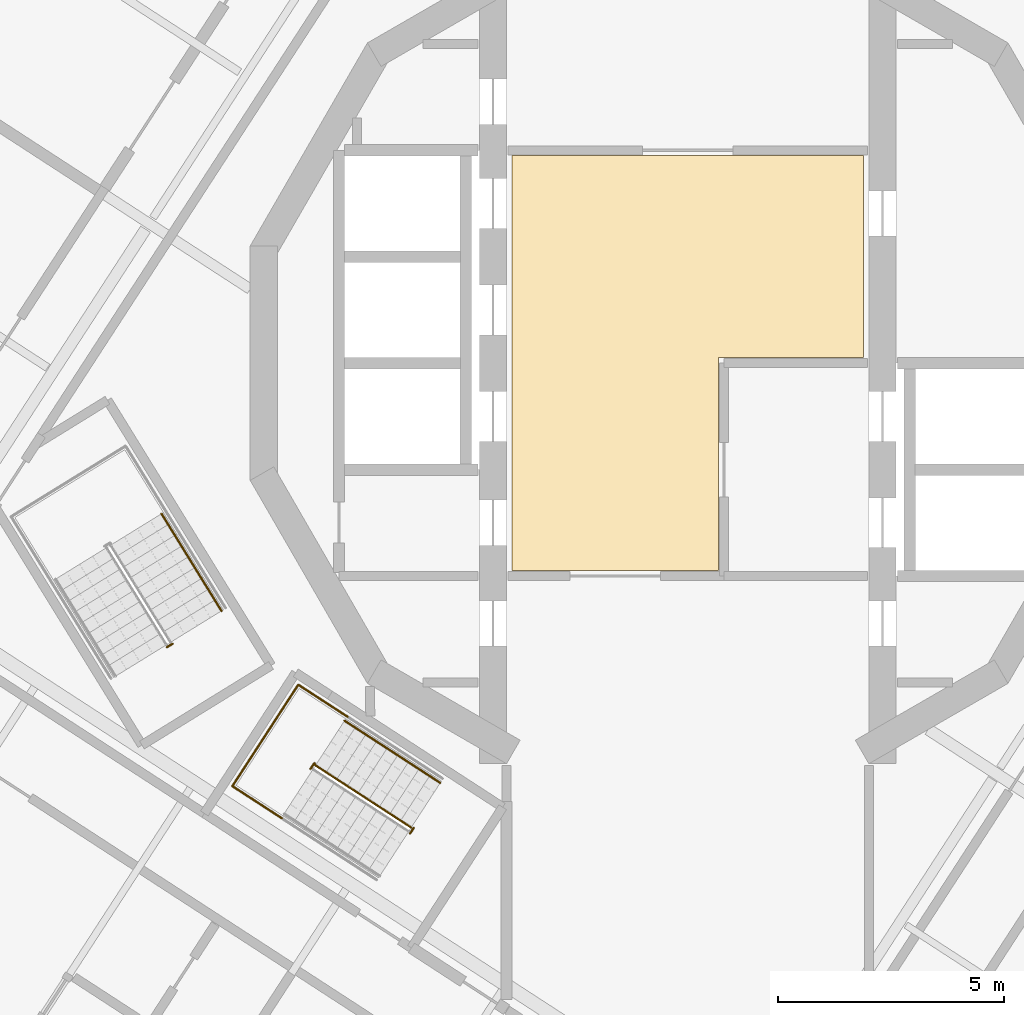
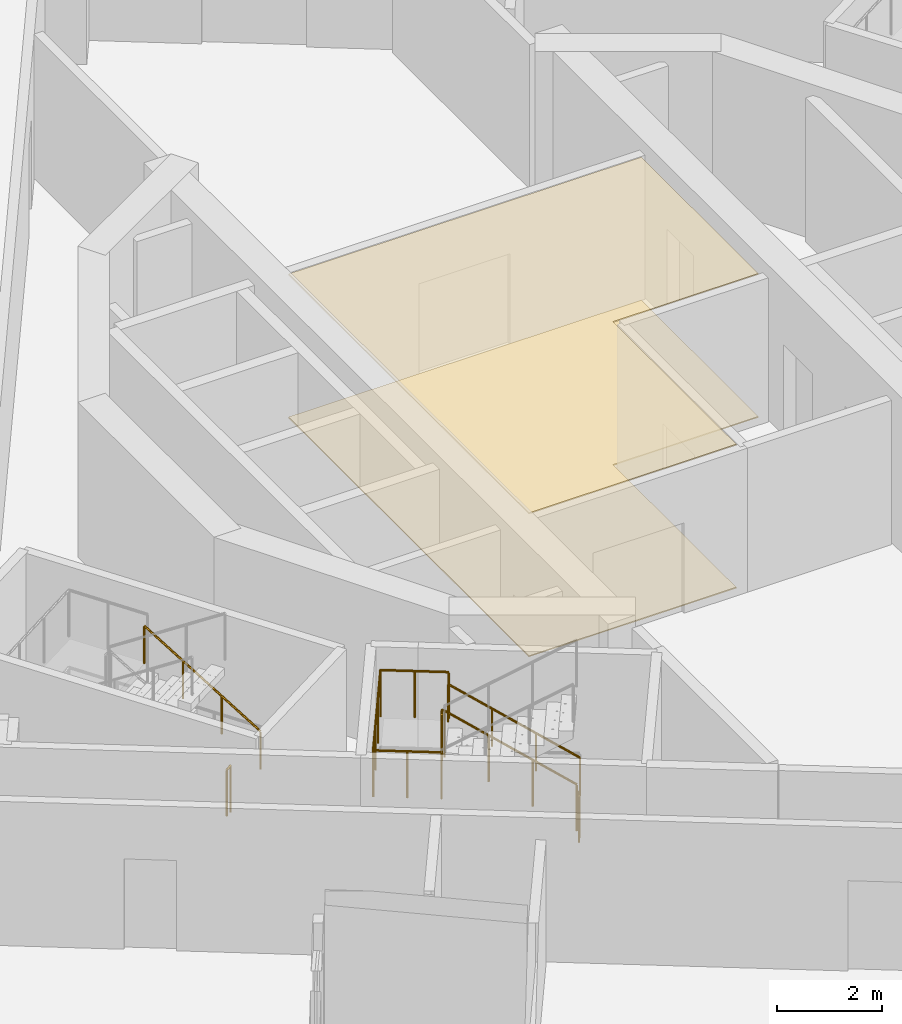
# One storey, part 12 of 15: 6 railings, 2 coverings.
"""IFC4 building model written with IfcOpenShell, lengths in metres."""

from ifc_helpers import new_model, si_unit, direction, frame, origin, origin_2d, place, context, subcontext, project, spatial, polyline, circle, outline, extrude, material, layer, layer_set, type_object, element, save


model = new_model("IFC4")

# Units and contexts
model_context = context("Model", 3, precision=1e-05, world=origin(), true_north=direction((0.0, 1.0)))
body_context = subcontext(model_context, "Body", "Model", "MODEL_VIEW")
ifc_project = project(units=[si_unit("LENGTHUNIT", "METRE"), si_unit("AREAUNIT", "SQUARE_METRE"), si_unit("VOLUMEUNIT", "CUBIC_METRE"), si_unit("PLANEANGLEUNIT", "RADIAN"), si_unit("MASSUNIT", "GRAM", prefix="KILO")], contexts=[model_context])

# Site, building, storey
site_placement = place(None, origin())
site = spatial("IfcSite", under=ifc_project, at=site_placement, CompositionType="ELEMENT")
building_placement = place(site_placement, origin())
building = spatial("IfcBuilding", under=site, at=building_placement, Name="Cantera Rosa Tower", CompositionType="ELEMENT")
storey_placement = place(building_placement, frame((0.0, 0.0, 282.89990234375)))
storey = spatial("IfcBuildingStorey", under=building, at=storey_placement, Name="L64", CompositionType="ELEMENT", Elevation=282.89990234375)

# Railings
ifc_material_1 = material(Name="Steel S355J2 (EN 10025-2)", Category="steel")
railing_type_1 = type_object("IfcRailingType", Name="STAIR GUARD 1100", PredefinedType="GUARDRAIL", material=ifc_material_1)
railing_1_placement = place(storey_placement, frame((-11.375, -6.19482421875, 0.0)))
element("IfcRailing", 1, at=railing_1_placement, inside=storey, type_object=railing_type_1, Name="L64 ST-52 stair guard 3", PredefinedType="GUARDRAIL", context=body_context, shape_type="SweptSolid", body=[
    extrude(circle(Radius=0.02392578125, at=origin_2d()), frame((0.0, 0.0, 1.076171875), z_axis=(-0.851546489876, -0.524279100842, 0.0), x_axis=(0.524279100842, -0.851546489876, 0.0)), (0.0, 0.0, 1.0), 0.14990234375),
    extrude(circle(Radius=0.02099609375, at=origin_2d()), origin(), (0.0, 0.0, 1.0), 1.052001953125),
    extrude(circle(Radius=0.02099609375, at=origin_2d()), frame((-0.127685546875, -0.07861328125, 0.0)), (0.0, 0.0, 1.0), 1.052001953125),
])
railing_2_placement = place(storey_placement, frame((-6.10400390625, -10.25341796875, 0.18017578125)))
element("IfcRailing", 2, at=railing_2_placement, inside=storey, type_object=railing_type_1, Name="L64 ST-53 stair guard 1", PredefinedType="GUARDRAIL", context=body_context, shape_type="SweptSolid", body=[
    extrude(circle(Radius=0.02392578125, at=origin_2d()), frame((0.0, 0.0, 1.076171875), z_axis=(-0.705493103535, 0.458158972863, 0.540712341684), x_axis=(-0.544644381691, -0.838667095749, 0.0)), (0.0, 0.0, 1.0), 2.995849609375),
    extrude(circle(Radius=0.02392578125, at=origin_2d()), frame((-2.113525390625, 1.37255859375, 2.69580078125), z_axis=(-0.49005532576, 0.871691331662, 0.0), x_axis=(-0.871691331662, -0.49005532576, 0.0)), (0.0, 0.0, 1.0), 0.056396484375),
    extrude(circle(Radius=0.02392578125, at=origin_2d()), frame((-2.14111328125, 1.421630859375, 2.69580078125), z_axis=(-0.545274379459, -0.838257628123, 0.0), x_axis=(0.838257628123, -0.545274379459, 0.0)), (0.0, 0.0, 1.0), 0.14990234375),
    extrude(circle(Radius=0.02099609375, at=origin_2d()), origin(), (0.0, 0.0, 1.0), 1.052001953125),
    extrude(circle(Radius=0.02099609375, at=origin_2d()), frame((-0.70458984375, 0.45751953125, 0.5400390625)), (0.0, 0.0, 1.0), 1.052001953125),
    extrude(circle(Radius=0.02099609375, at=origin_2d()), frame((-1.408935546875, 0.9150390625, 1.079833984375)), (0.0, 0.0, 1.0), 1.052001953125),
    extrude(circle(Radius=0.02099609375, at=origin_2d()), frame((-2.113525390625, 1.37255859375, 1.619873046875)), (0.0, 0.0, 1.0), 1.052001953125),
    extrude(circle(Radius=0.02099609375, at=origin_2d()), frame((-2.14111328125, 1.421630859375, 1.619873046875)), (0.0, 0.0, 1.0), 1.052001953125),
    extrude(circle(Radius=0.02099609375, at=origin_2d()), frame((-2.222900390625, 1.2958984375, 1.619873046875)), (0.0, 0.0, 1.0), 1.052001953125),
])
railing_3_placement = place(storey_placement, frame((-6.0478515625, -10.2587890625, 0.0)))
element("IfcRailing", 3, at=railing_3_placement, inside=storey, type_object=railing_type_1, Name="L64 ST-53 stair guard 3", PredefinedType="GUARDRAIL", context=body_context, shape_type="SweptSolid", body=[
    extrude(circle(Radius=0.02392578125, at=origin_2d()), frame((0.0, 0.0, 1.076171875), z_axis=(-0.545274379459, -0.838257628123, 0.0), x_axis=(0.838257628123, -0.545274379459, 0.0)), (0.0, 0.0, 1.0), 0.14990234375),
    extrude(circle(Radius=0.02099609375, at=origin_2d()), origin(), (0.0, 0.0, 1.0), 1.052001953125),
    extrude(circle(Radius=0.02099609375, at=origin_2d()), frame((-0.081787109375, -0.125732421875, 0.0)), (0.0, 0.0, 1.0), 1.052001953125),
])
railing_4_placement = place(storey_placement, frame((-7.507080078125, -7.808837890625, 1.800048828125)))
element("IfcRailing", 4, at=railing_4_placement, inside=storey, type_object=railing_type_1, Name="L64 ST-53 stair guard 5", PredefinedType="GUARDRAIL", context=body_context, shape_type="SweptSolid", body=[
    extrude(circle(Radius=0.02392578125, at=origin_2d()), frame((0.0, 0.0, 1.076171875), z_axis=(-0.838597818641, 0.544751042744, 0.0), x_axis=(-0.544751042744, -0.838597818641, 0.0)), (0.0, 0.0, 1.0), 1.302001953125),
    extrude(circle(Radius=0.02392578125, at=origin_2d()), frame((-1.091796875, 0.709228515625, 1.076171875), z_axis=(-0.544679779991, -0.838644106442, 0.0), x_axis=(0.838644106442, -0.544679779991, 0.0)), (0.0, 0.0, 1.0), 2.670166015625),
    extrude(circle(Radius=0.02392578125, at=origin_2d()), frame((-2.546142578125, -1.530029296875, 1.076171875), z_axis=(0.838653453326, -0.544665388311, 0.0), x_axis=(0.544665388311, 0.838653453326, 0.0)), (0.0, 0.0, 1.0), 1.30224609375),
    extrude(circle(Radius=0.02099609375, at=origin_2d()), origin(), (0.0, 0.0, 1.0), 1.052001953125),
    extrude(circle(Radius=0.02099609375, at=origin_2d()), frame((-0.5458984375, 0.3544921875, 0.0)), (0.0, 0.0, 1.0), 1.052001953125),
    extrude(circle(Radius=0.02099609375, at=origin_2d()), frame((-1.091796875, 0.709228515625, 0.0)), (0.0, 0.0, 1.0), 1.052001953125),
    extrude(circle(Radius=0.02099609375, at=origin_2d()), frame((-1.57666015625, -0.037109375, 0.0)), (0.0, 0.0, 1.0), 1.052001953125),
    extrude(circle(Radius=0.02099609375, at=origin_2d()), frame((-2.061279296875, -0.78369140625, 0.0)), (0.0, 0.0, 1.0), 1.052001953125),
    extrude(circle(Radius=0.02099609375, at=origin_2d()), frame((-2.546142578125, -1.530029296875, 0.0)), (0.0, 0.0, 1.0), 1.052001953125),
    extrude(circle(Radius=0.02099609375, at=origin_2d()), frame((-2.0, -1.884765625, 0.0)), (0.0, 0.0, 1.0), 1.052001953125),
    extrude(circle(Radius=0.02099609375, at=origin_2d()), frame((-1.4541015625, -2.2392578125, 0.0)), (0.0, 0.0, 1.0), 1.052001953125),
])
ifc_material_2 = material(Name="Steel S355J2 (EN 10025-2)", Category="steel")
railing_type_2 = type_object("IfcRailingType", Name="STAIR HANDRAIL 900", PredefinedType="HANDRAIL", material=ifc_material_2)
railing_5_placement = place(storey_placement, frame((-10.294677734375, -5.4697265625, 0.18017578125)))
element("IfcRailing", 5, at=railing_5_placement, inside=storey, type_object=railing_type_2, Name="L64 ST-52 stair handrail 1", PredefinedType="HANDRAIL", context=body_context, shape_type="SweptSolid", body=[
    extrude(circle(Radius=0.02392578125, at=origin_2d()), frame((0.0, 0.0, 0.8759765625), z_axis=(-0.441628529057, 0.715945124149, 0.540728047664), x_axis=(-0.851102330005, -0.524999832248, 0.0)), (0.0, 0.0, 1.0), 2.99560546875),
    extrude(circle(Radius=0.02099609375, at=origin_2d()), origin(), (0.0, 0.0, 1.0), 0.851806640625),
    extrude(circle(Radius=0.02099609375, at=origin_2d()), frame((-0.44091796875, 0.71484375, 0.5400390625)), (0.0, 0.0, 1.0), 0.851806640625),
    extrude(circle(Radius=0.02099609375, at=origin_2d()), frame((-0.882080078125, 1.429931640625, 1.079833984375)), (0.0, 0.0, 1.0), 0.851806640625),
    extrude(circle(Radius=0.02099609375, at=origin_2d()), frame((-1.322998046875, 2.144775390625, 1.619873046875)), (0.0, 0.0, 1.0), 0.851806640625),
])
railing_6_placement = place(storey_placement, frame((-5.463623046875, -9.26708984375, 0.18017578125)))
element("IfcRailing", 6, at=railing_6_placement, inside=storey, type_object=railing_type_2, Name="L64 ST-53 stair handrail 1", PredefinedType="HANDRAIL", context=body_context, shape_type="SweptSolid", body=[
    extrude(circle(Radius=0.02392578125, at=origin_2d()), frame((0.0, 0.0, 0.8759765625), z_axis=(-0.705452167267, 0.458185314739, 0.54074342997), x_axis=(-0.544688635705, -0.838638354795, 0.0)), (0.0, 0.0, 1.0), 2.99560546875),
    extrude(circle(Radius=0.02099609375, at=origin_2d()), origin(), (0.0, 0.0, 1.0), 0.851806640625),
    extrude(circle(Radius=0.02099609375, at=origin_2d()), frame((-0.704345703125, 0.45751953125, 0.5400390625)), (0.0, 0.0, 1.0), 0.851806640625),
    extrude(circle(Radius=0.02099609375, at=origin_2d()), frame((-1.408935546875, 0.9150390625, 1.079833984375)), (0.0, 0.0, 1.0), 0.851806640625),
    extrude(circle(Radius=0.02099609375, at=origin_2d()), frame((-2.11328125, 1.37255859375, 1.619873046875)), (0.0, 0.0, 1.0), 0.851806640625),
])

# Coverings
ifc_material_3 = material(Name="Limestone paving", Category="masonry")
ifc_layer_1 = layer(ifc_material_3, 0.02490234375)
ifc_layer_set_1 = layer_set([ifc_layer_1], Name="STONE FLOOR FINISH 25")
covering_type_1 = type_object("IfcCoveringType", Name="STONE FLOOR FINISH 25", PredefinedType="FLOORING", material=ifc_layer_set_1)
covering_1_placement = place(storey_placement, origin())
element("IfcCovering", 7, at=covering_1_placement, inside=storey, type_object=covering_type_1, Name="STONE FLOOR FINISH L64", PredefinedType="FLOORING", context=body_context, shape_type="SweptSolid", body=[
    extrude(outline(polyline([(3.8798828125, 4.580078125), (3.8798828125, 0.1201171875), (0.679931640625, 0.1201171875), (0.679931640625, -4.580078125), (-3.8798828125, -4.580078125), (-3.8798828125, 4.580078125), (3.8798828125, 4.580078125)])), origin(), (0.0, 0.0, 1.0), 0.025146484375),
])
ifc_material_4 = material(Name="Gypsum ceiling tile")
ifc_layer_2 = layer(ifc_material_4, 0.030029296875)
ifc_layer_set_2 = layer_set([ifc_layer_2], Name="SUSPENDED CEILING 30")
covering_type_2 = type_object("IfcCoveringType", Name="SUSPENDED CEILING 30", PredefinedType="CEILING", material=ifc_layer_set_2)
covering_2_placement = place(storey_placement, frame((0.0, 0.0, 3.320068359375)))
element("IfcCovering", 8, at=covering_2_placement, inside=storey, type_object=covering_type_2, Name="SUSPENDED CEILING L64", PredefinedType="CEILING", context=body_context, shape_type="SweptSolid", body=[
    extrude(outline(polyline([(3.8798828125, 4.580078125), (3.8798828125, 0.1201171875), (0.679931640625, 0.1201171875), (0.679931640625, -4.580078125), (-3.8798828125, -4.580078125), (-3.8798828125, 4.580078125), (3.8798828125, 4.580078125)])), origin(), (0.0, 0.0, 1.0), 0.030029296875),
])

save(model, "model.ifc")
